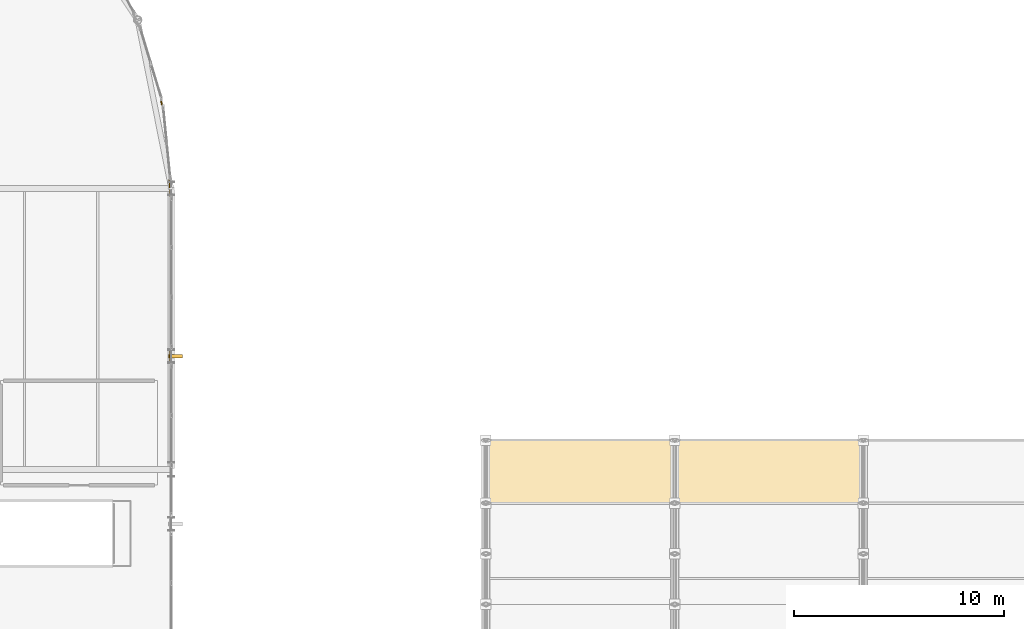
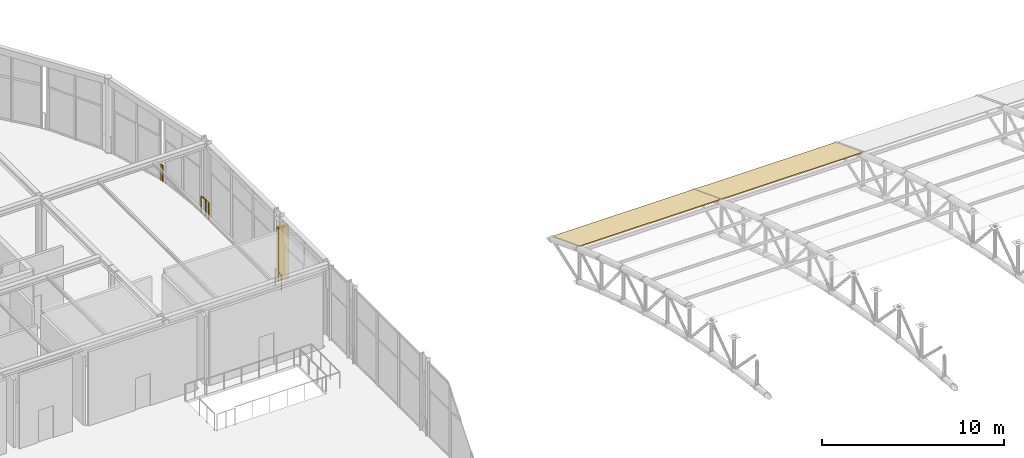
# One storey, part 193 of 195: 3 railings, 2 coverings, 1 shading device.
"""IFC4 building model written with IfcOpenShell, lengths in metres."""

from ifc_helpers import new_model, si_unit, direction, frame, origin, origin_2d, place, context, subcontext, project, spatial, polyline, rectangle, circle, outline, extrude, material, layer, layer_set, type_object, element, save


model = new_model("IFC4")

# Units and contexts
model_context = context("Model", 3, precision=1e-05, world=origin(), true_north=direction((0.0, 1.0)))
body_context = subcontext(model_context, "Body", "Model", "MODEL_VIEW")
ifc_project = project(units=[si_unit("LENGTHUNIT", "METRE"), si_unit("AREAUNIT", "SQUARE_METRE"), si_unit("VOLUMEUNIT", "CUBIC_METRE"), si_unit("PLANEANGLEUNIT", "RADIAN"), si_unit("MASSUNIT", "GRAM", prefix="KILO")], contexts=[model_context])

# Site, building, storey
site_placement = place(None, origin())
site = spatial("IfcSite", under=ifc_project, at=site_placement, CompositionType="ELEMENT")
building_placement = place(site_placement, origin())
building = spatial("IfcBuilding", under=site, at=building_placement, Name="Marlcrest Central Station", CompositionType="ELEMENT")
storey_placement = place(building_placement, frame((0.0, 0.0, 9.800048828125)))
storey = spatial("IfcBuildingStorey", under=building, at=storey_placement, Name="L02", CompositionType="ELEMENT", Elevation=9.800048828125)

# Coverings
ifc_material_1 = material(Name="Standing-seam marine-coated aluminium roofing", Category="aluminium")
ifc_layer = layer(ifc_material_1, 0.06494140625, Name="CV-RF2")
ifc_layer_set = layer_set([ifc_layer], Name="Standing-seam marine-coated aluminium roofing")
covering_type = type_object("IfcCoveringType", Name="CV-RF2", PredefinedType="ROOFING", material=ifc_layer_set)
for number, where, z_axis, x_axis, name in (
    (1, (144.0, 95.5, 1.800048828125), (0.0, 0.359101225901, 0.933298617569), (1.0, 0.0, 0.0), "cov-shed-0130"),
    (2, (153.0, 95.5, 1.800048828125), (0.0, 0.359101225901, 0.933298617569), (1.0, 0.0, 0.0), "cov-shed-0144"),
):
    element("IfcCovering", number, at=place(storey_placement, frame(where, z_axis=z_axis, x_axis=x_axis)), inside=storey, type_object=covering_type, Name=name, PredefinedType="ROOFING", context=body_context, shape_type="SweptSolid", body=[
        extrude(outline(polyline([(0.0, 0.0), (9.0, 0.0), (9.0, 3.2144052755735024), (0.0, 3.2144052755735024), (0.0, 0.0)])), origin(), (0.0, 0.0, -1.0), 0.06494140625),
    ])

# Railings
ifc_material_2 = material(Name="Stainless steel and laminated glass concourse balustrade", Category="steel")
railing_type = type_object("IfcRailingType", Name="GR-02", PredefinedType="BALUSTRADE", material=ifc_material_2)
railing_1_placement = place(storey_placement, frame((128.510986328125, 114.6708984375, 0.0)))
element("IfcRailing", 3, at=railing_1_placement, inside=storey, type_object=railing_type, Name="hr-L02-00499", PredefinedType="BALUSTRADE", context=body_context, shape_type="SweptSolid", body=[
    extrude(circle(Radius=0.02392578125, at=origin_2d()), frame((0.0, 0.0, 1.09619140625), z_axis=(0.290837119501, -0.956772580042, 0.0), x_axis=(0.956772580042, 0.290837119501, 0.0)), (0.0, 0.0, 1.0), 0.08984375),
    extrude(circle(Radius=0.02392578125, at=origin_2d()), frame((0.026123046875, -0.0859375, 1.09619140625), z_axis=(0.0984209217, -0.995144874966, 0.0), x_axis=(0.995144874966, 0.0984209217, 0.0)), (0.0, 0.0, 1.0), 0.08935546875),
    extrude(circle(Radius=0.02099609375, at=origin_2d()), origin(), (0.0, 0.0, 1.0), 1.072021484375),
    extrude(circle(Radius=0.02099609375, at=origin_2d()), frame((0.026123046875, -0.0859375, 0.0)), (0.0, 0.0, 1.0), 1.072021484375),
    extrude(circle(Radius=0.02099609375, at=origin_2d()), frame((0.034912109375, -0.1748046875, 0.0)), (0.0, 0.0, 1.0), 1.072021484375),
])
railing_2_placement = place(storey_placement, frame((128.89990234375, 110.907958984375, 0.0)))
element("IfcRailing", 4, at=railing_2_placement, inside=storey, type_object=railing_type, Name="hr-L02-00500", PredefinedType="BALUSTRADE", context=body_context, shape_type="SweptSolid", body=[
    extrude(circle(Radius=0.02392578125, at=origin_2d()), frame((0.0, 0.0, 1.09619140625), z_axis=(0.096985661157, -0.995285778824, 0.0), x_axis=(0.995285778824, 0.096985661157, 0.0)), (0.0, 0.0, 1.0), 0.412841796875),
    extrude(circle(Radius=0.02392578125, at=origin_2d()), frame((0.0400390625, -0.410888671875, 1.09619140625), z_axis=(0.0, -1.0, 0.0), x_axis=(1.0, 0.0, 0.0)), (0.0, 0.0, 1.0), 0.337158203125),
    extrude(circle(Radius=0.02099609375, at=origin_2d()), origin(), (0.0, 0.0, 1.0), 1.072021484375),
    extrude(circle(Radius=0.02099609375, at=origin_2d()), frame((0.0400390625, -0.410888671875, 0.0)), (0.0, 0.0, 1.0), 1.072021484375),
    extrude(circle(Radius=0.02099609375, at=origin_2d()), frame((0.0400390625, -0.748046875, 0.0)), (0.0, 0.0, 1.0), 1.072021484375),
])
railing_3_placement = place(storey_placement, frame((128.93994140625, 102.840087890625, 0.0)))
element("IfcRailing", 5, at=railing_3_placement, inside=storey, type_object=railing_type, Name="hr-L02-00501", PredefinedType="BALUSTRADE", context=body_context, shape_type="SweptSolid", body=[
    extrude(circle(Radius=0.02392578125, at=origin_2d()), frame((0.0, 0.0, 1.09619140625), z_axis=(0.0, -1.0, 0.0), x_axis=(1.0, 0.0, 0.0)), (0.0, 0.0, 1.0), 0.68017578125),
    extrude(circle(Radius=0.02099609375, at=origin_2d()), origin(), (0.0, 0.0, 1.0), 1.072021484375),
    extrude(circle(Radius=0.02099609375, at=origin_2d()), frame((0.0, -0.68017578125, 0.0)), (0.0, 0.0, 1.0), 1.072021484375),
])

# Shading device
ifc_material_3 = material(Name="Precast concrete C40/50", Category="concrete")
shading_device_type = type_object("IfcShadingDeviceType", Name="SD-BS1", PredefinedType="USERDEFINED", material=ifc_material_3)
shading_device_placement = place(storey_placement, frame((129.199951171875, 102.5, 0.5), z_axis=(0.0, 0.0, 1.0), x_axis=(0.0, 1.0, 0.0)))
element("IfcShadingDevice", 6, at=shading_device_placement, inside=storey, type_object=shading_device_type, Name="shd-L02-0022", ObjectType="BRISE_SOLEIL", PredefinedType="USERDEFINED", context=body_context, shape_type="SweptSolid", body=[
    extrude(rectangle(XDim=0.179931640625, YDim=0.64990234375, at=origin_2d()), origin(), (0.0, 0.0, 1.0), 3.60009765625),
])

save(model, "model.ifc")
